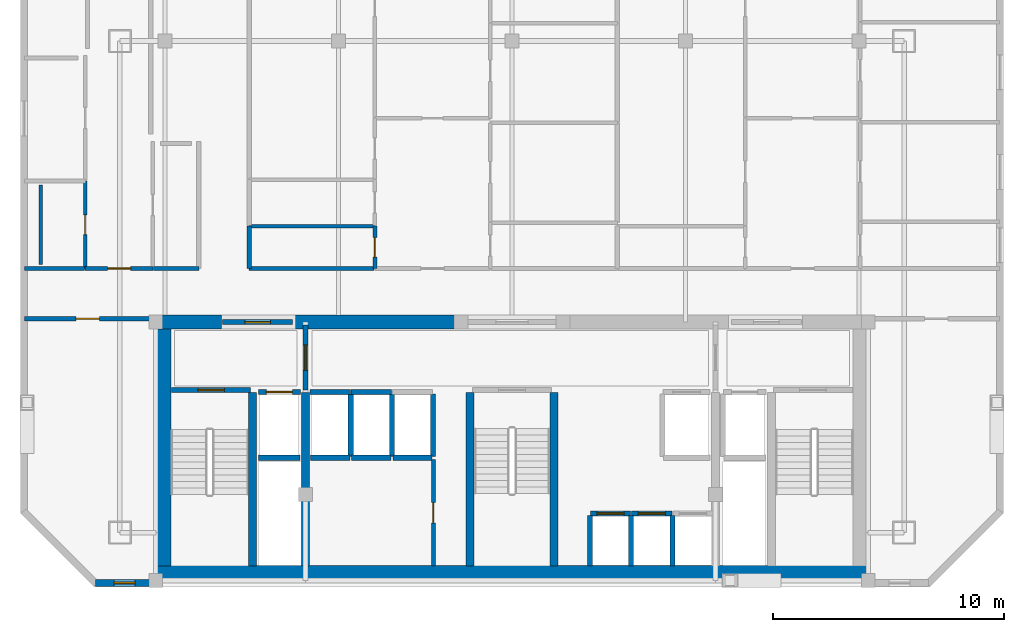
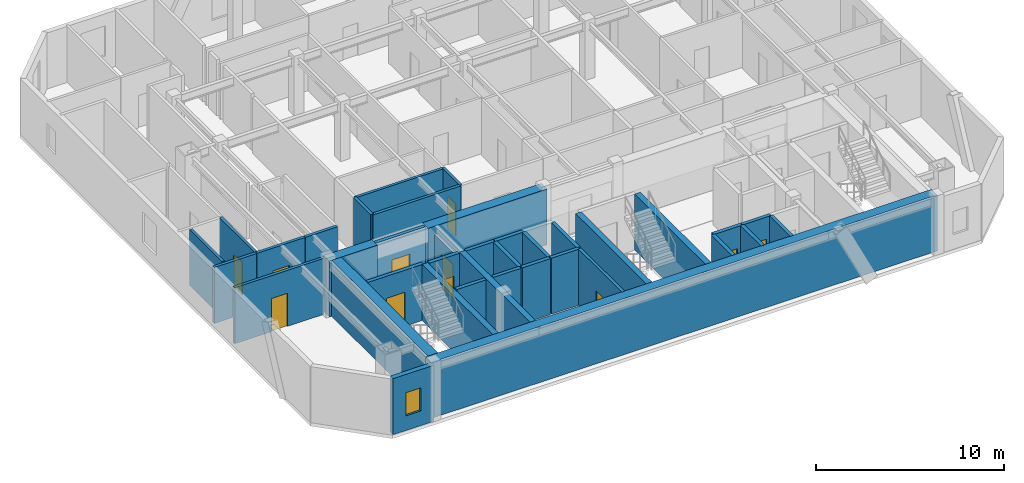
# One storey, part 2 of 7: 38 walls, 11 doors, 1 window, 12 openings.
"""IFC4 building model written with IfcOpenShell, lengths in metres."""

from ifc_helpers import new_model, si_unit, direction, frame, frame_2d, origin, place, context, subcontext, project, spatial, rectangle, extrude, material, layer, layer_set, type_object, element, fill, save


model = new_model("IFC4")

# Units and contexts
model_context = context("Model", 3, precision=1e-05, world=origin(), true_north=direction((0.0, 1.0)))
body_context = subcontext(model_context, "Body", "Model", "MODEL_VIEW")
ifc_project = project(units=[si_unit("LENGTHUNIT", "METRE"), si_unit("AREAUNIT", "SQUARE_METRE"), si_unit("VOLUMEUNIT", "CUBIC_METRE"), si_unit("PLANEANGLEUNIT", "RADIAN"), si_unit("MASSUNIT", "GRAM", prefix="KILO")], contexts=[model_context])

# Site, building, storey
site_placement = place(None, origin())
site = spatial("IfcSite", under=ifc_project, at=site_placement, CompositionType="ELEMENT")
building_placement = place(site_placement, origin())
building = spatial("IfcBuilding", under=site, at=building_placement, Name="Ventersveld Concourse Tower", CompositionType="ELEMENT")
storey_placement = place(building_placement, frame((0.0, 0.0, 227.25)))
storey = spatial("IfcBuildingStorey", under=building, at=storey_placement, Name="L56", CompositionType="ELEMENT", Elevation=227.25)

# Walls
ifc_material_1 = material(Name="Concrete C50/60", Category="concrete")
ifc_layer_1 = layer(ifc_material_1, 0.35009765625)
ifc_layer_set_1 = layer_set([ifc_layer_1], Name="Concrete C50/60")
wall_type_1 = type_object("IfcWallType", Name="WL-CORE-350U", PredefinedType="SHEAR", material=ifc_layer_set_1)
for number, where, z_axis, x_axis, name in (
    (1, (17.5400390625, 0.919921875, 0.0), (0.0, 0.0, 1.0), (0.0, 1.0, 0.0), "L56 Core Internal Shear Web W-ST1-E"),
    (2, (19.820068359375, 0.919921875, 0.0), (0.0, 0.0, 1.0), (0.0, 1.0, 0.0), "L56 Core Internal Shear Web W-FF1-E"),
    (3, (26.93994140625, 0.919921875, 0.0), (0.0, 0.0, 1.0), (0.0, 1.0, 0.0), "L56 Core Internal Shear Web W-ST3-W"),
    (4, (30.56005859375, 0.919921875, 0.0), (0.0, 0.0, 1.0), (0.0, 1.0, 0.0), "L56 Core Internal Shear Web W-ST3-E"),
):
    element("IfcWall", number, at=place(storey_placement, frame(where, z_axis=z_axis, x_axis=x_axis)), inside=storey, type_object=wall_type_1, Name=name, PredefinedType="SHEAR", context=body_context, shape_type="SweptSolid", body=[
        extrude(rectangle(XDim=7.5, YDim=0.35009765625, at=frame_2d((3.75, 0.0))), origin(), (0.0, 0.0, 1.0), 3.6298828125),
    ])
ifc_layer_2 = layer(ifc_material_1, 0.60009765625)
ifc_layer_set_2 = layer_set([ifc_layer_2], Name="Concrete C50/60")
wall_type_2 = type_object("IfcWallType", Name="WL-CORE-600", PredefinedType="SHEAR", material=ifc_layer_set_2)
wall_1_placement = place(storey_placement, frame((13.25, 0.6201171875, 0.0), z_axis=(0.0, 0.0, 1.0), x_axis=(1.0, 0.0, 0.0)))
element("IfcWall", 5, at=wall_1_placement, inside=storey, type_object=wall_type_2, Name="L56 Rear Core South Shear Wall", PredefinedType="SHEAR", context=body_context, shape_type="SweptSolid", body=[
    extrude(rectangle(XDim=31.0, YDim=0.60009765625, at=frame_2d((15.5, 0.0))), origin(), (0.0, 0.0, 1.0), 3.6298828125),
])
wall_2_placement = place(storey_placement, frame((13.699951171875, 0.919921875, 0.0), z_axis=(0.0, 0.0, 1.0), x_axis=(0.0, 1.0, 0.0)))
element("IfcWall", 6, at=wall_2_placement, inside=storey, type_object=wall_type_2, Name="L56 Rear Core West Shear Wall", PredefinedType="SHEAR", context=body_context, shape_type="SweptSolid", body=[
    extrude(rectangle(XDim=10.530029296875, YDim=0.60009765625, at=frame_2d((5.26513671875, 0.0))), origin(), (0.0, 0.0, 1.0), 3.6298828125),
])
wall_3_placement = place(storey_placement, frame((13.25, 11.449951171875, 0.0), z_axis=(0.0, 0.0, 1.0), x_axis=(1.0, 0.0, 0.0)))
element("IfcWall", 7, at=wall_3_placement, inside=storey, type_object=wall_type_2, Name="L56 Rear Core North Shear Wall NW", PredefinedType="SHEAR", context=body_context, shape_type="SweptSolid", body=[
    extrude(rectangle(XDim=2.949951171875, YDim=0.60009765625, at=frame_2d((1.47509765625, 0.0))), origin(), (0.0, 0.0, 1.0), 3.6298828125),
])
wall_4_placement = place(storey_placement, frame((19.300048828125, 11.449951171875, 0.0), z_axis=(0.0, 0.0, 1.0), x_axis=(1.0, 0.0, 0.0)))
element("IfcWall", 8, at=wall_4_placement, inside=storey, type_object=wall_type_2, Name="L56 Rear Core North Shear Wall NML", PredefinedType="SHEAR", context=body_context, shape_type="SweptSolid", body=[
    extrude(rectangle(XDim=7.300048828125, YDim=0.60009765625, at=frame_2d((3.64990234375, 0.0))), origin(), (0.0, 0.0, 1.0), 3.6298828125),
])

# Wall, opening, door
ifc_material_2 = material(Name="Fire-rated autoclaved aerated masonry blockwork", Category="masonry")
ifc_layer_3 = layer(ifc_material_2, 0.179931640625)
ifc_layer_set_3 = layer_set([ifc_layer_3], Name="Fire-rated autoclaved aerated masonry blockwork")
wall_type_3 = type_object("IfcWallType", Name="WL-CORR-180", PredefinedType="PARTITIONING", material=ifc_layer_set_3)
wall_5_placement = place(storey_placement, frame((25.35009765625, 0.89990234375, 0.0), z_axis=(0.0, 0.0, 1.0), x_axis=(0.0, 1.0, 0.0)))
wall_5 = element("IfcWall", 9, at=wall_5_placement, inside=storey, type_object=wall_type_3, Name="L56 Core Passage Wall SP-L56-RECB1A", PredefinedType="PARTITIONING", context=body_context, shape_type="SweptSolid", body=[
    extrude(rectangle(XDim=4.6201171875, YDim=0.179931640625, at=frame_2d((2.31005859375, 0.0))), origin(), (0.0, 0.0, 1.0), 3.6298828125),
])
opening_1_placement = place(wall_5_placement, frame((1.8701171875, 0.0, 0.0)))
opening_1 = element("IfcOpeningElement", 10, at=opening_1_placement, cuts=wall_5, Name="Opening FD5", PredefinedType="OPENING", context=body_context, shape_type="SweptSolid", body=[
    extrude(rectangle(XDim=0.8798828125, YDim=2.050048828125, at=frame_2d((0.43994140625, 1.02490234375))), frame((0.0, 0.10009765625, 0.0), z_axis=(0.0, -1.0, 0.0), x_axis=(1.0, 0.0, 0.0)), (0.0, 0.0, 1.0), 0.199951171875),
])
ifc_material_3 = material(Name="Galvanised painted steel", Category="steel")
door_type_1 = type_object("IfcDoorType", Name="DR-RISER-088", OperationType="NOTDEFINED", PredefinedType="DOOR", material=ifc_material_3)
door_1_placement = place(opening_1_placement, origin())
door_1 = element("IfcDoor", 11, at=door_1_placement, inside=storey, type_object=door_type_1, Name="L56 Core Room Door L56 Reclaimed Core Meeting Pod (CD-L56-2702)", OperationType="SINGLE_SWING_LEFT", OverallHeight=2.050048828125, OverallWidth=0.8798828125, PredefinedType="DOOR", context=body_context, shape_type="SweptSolid", body=[
    extrude(rectangle(XDim=0.8798828125, YDim=2.050048828125, at=frame_2d((0.43994140625, 1.02490234375))), frame((0.0, 0.02490234375, 0.0), z_axis=(0.0, -1.0, 0.0), x_axis=(1.0, 0.0, 0.0)), (0.0, 0.0, 1.0), 0.050048828125),
])
fill(opening_1, door_1)

wall_6_placement = place(storey_placement, frame((7.672607421875, 11.60009765625, 0.0), z_axis=(0.0, 0.0, 1.0), x_axis=(1.0, 0.0, 0.0)))
wall_6 = element("IfcWall", 12, at=wall_6_placement, inside=storey, type_object=wall_type_3, Name="L56 Interior Partition SP-L56-SW-GAL-SP-L56-COR", PredefinedType="PARTITIONING", context=body_context, shape_type="SweptSolid", body=[
    extrude(rectangle(XDim=5.472412109375, YDim=0.179931640625, at=frame_2d((2.736328125, 0.0))), origin(), (0.0, 0.0, 1.0), 3.6298828125),
])
opening_2_placement = place(wall_6_placement, frame((2.236083984375, 0.0, 0.0)))
opening_2 = element("IfcOpeningElement", 13, at=opening_2_placement, cuts=wall_6, Name="Opening FD3", PredefinedType="OPENING", context=body_context, shape_type="SweptSolid", body=[
    extrude(rectangle(XDim=1.0, YDim=2.14990234375, at=frame_2d((0.5, 1.074951171875))), frame((0.0, 0.10009765625, 0.0), z_axis=(0.0, -1.0, 0.0), x_axis=(1.0, 0.0, 0.0)), (0.0, 0.0, 1.0), 0.199951171875),
])
ifc_material_4 = material(Name="Solid-core hardwood veneer timber", Category="wood")
door_type_2 = type_object("IfcDoorType", Name="DR-FLAT-100", OperationType="NOTDEFINED", PredefinedType="DOOR", material=ifc_material_4)
door_2_placement = place(opening_2_placement, origin())
door_2 = element("IfcDoor", 14, at=door_2_placement, inside=storey, type_object=door_type_2, Name="L56 Interior Door SP-L56-SW-GAL to SP-L56-COR (D-L56-2703)", OperationType="SINGLE_SWING_LEFT", OverallHeight=2.14990234375, OverallWidth=1.0, PredefinedType="DOOR", context=body_context, shape_type="SweptSolid", body=[
    extrude(rectangle(XDim=1.0, YDim=2.14990234375, at=frame_2d((0.5, 1.074951171875))), frame((0.0, 0.02490234375, 0.0), z_axis=(0.0, -1.0, 0.0), x_axis=(1.0, 0.0, 0.0)), (0.0, 0.0, 1.0), 0.050048828125),
])
fill(opening_2, door_2)

wall_7_placement = place(storey_placement, frame((10.298828125, 13.77001953125, 0.0), z_axis=(0.0, 0.0, 1.0), x_axis=(1.0, 0.0, 0.0)))
wall_7 = element("IfcWall", 15, at=wall_7_placement, inside=storey, type_object=wall_type_3, Name="L56 Interior Partition SP-L56-COR-SP-L56-56NW-LIV", PredefinedType="PARTITIONING", context=body_context, shape_type="SweptSolid", body=[
    extrude(rectangle(XDim=2.930419921875, YDim=0.179931640625, at=frame_2d((1.46533203125, 0.0))), origin(), (0.0, 0.0, 1.0), 3.6298828125),
])
opening_3_placement = place(wall_7_placement, frame((0.965087890625, 0.0, 0.0)))
opening_3 = element("IfcOpeningElement", 16, at=opening_3_placement, cuts=wall_7, Name="Opening FD3", PredefinedType="OPENING", context=body_context, shape_type="SweptSolid", body=[
    extrude(rectangle(XDim=1.0, YDim=2.14990234375, at=frame_2d((0.5, 1.074951171875))), frame((0.0, 0.10009765625, 0.0), z_axis=(0.0, -1.0, 0.0), x_axis=(1.0, 0.0, 0.0)), (0.0, 0.0, 1.0), 0.199951171875),
])
door_3_placement = place(opening_3_placement, origin())
door_3 = element("IfcDoor", 17, at=door_3_placement, inside=storey, type_object=door_type_2, Name="L56 Interior Door SP-L56-COR to SP-L56-56NW-LIV (FD-L56-2705)", OperationType="SINGLE_SWING_LEFT", OverallHeight=2.14990234375, OverallWidth=1.0, PredefinedType="DOOR", context=body_context, shape_type="SweptSolid", body=[
    extrude(rectangle(XDim=1.0, YDim=2.14990234375, at=frame_2d((0.5, 1.074951171875))), frame((0.0, 0.02490234375, 0.0), z_axis=(0.0, -1.0, 0.0), x_axis=(1.0, 0.0, 0.0)), (0.0, 0.0, 1.0), 0.050048828125),
])
fill(opening_3, door_3)

# Walls
wall_8_placement = place(storey_placement, frame((7.672607421875, 13.77001953125, 0.0), z_axis=(0.0, 0.0, 1.0), x_axis=(1.0, 0.0, 0.0)))
element("IfcWall", 18, at=wall_8_placement, inside=storey, type_object=wall_type_3, Name="L56 Interior Partition SP-L56-COR-SP-L56-56NW-BATH", PredefinedType="PARTITIONING", context=body_context, shape_type="SweptSolid", body=[
    extrude(rectangle(XDim=2.59619140625, YDim=0.179931640625, at=frame_2d((1.298095703125, 0.0))), origin(), (0.0, 0.0, 1.0), 3.6298828125),
])
wall_9_placement = place(storey_placement, frame((13.25927734375, 13.77001953125, 0.0), z_axis=(0.0, 0.0, 1.0), x_axis=(1.0, 0.0, 0.0)))
element("IfcWall", 19, at=wall_9_placement, inside=storey, type_object=wall_type_3, Name="L56 Interior Partition SP-L56-COR-SP-L56-56NW-KIT", PredefinedType="PARTITIONING", context=body_context, shape_type="SweptSolid", body=[
    extrude(rectangle(XDim=1.955810546875, YDim=0.179931640625, at=frame_2d((0.97802734375, 0.0))), origin(), (0.0, 0.0, 1.0), 3.6298828125),
])
wall_10_placement = place(storey_placement, frame((17.385009765625, 13.77001953125, 0.0), z_axis=(0.0, 0.0, 1.0), x_axis=(1.0, 0.0, 0.0)))
element("IfcWall", 20, at=wall_10_placement, inside=storey, type_object=wall_type_3, Name="L56 Interior Partition SP-L56-COR-SP-L56-56N1-BATH", PredefinedType="PARTITIONING", context=body_context, shape_type="SweptSolid", body=[
    extrude(rectangle(XDim=5.40234375, YDim=0.179931640625, at=frame_2d((2.701171875, 0.0))), origin(), (0.0, 0.0, 1.0), 3.6298828125),
])
wall_11_placement = place(storey_placement, frame((17.389892578125, 13.764892578125, 0.0), z_axis=(0.0, 0.0, 1.0), x_axis=(0.0, 1.0, 0.0)))
element("IfcWall", 21, at=wall_11_placement, inside=storey, type_object=wall_type_3, Name="L56 Interior Partition SP-L56-COR-SP-L56-56N1-BATH", PredefinedType="PARTITIONING", context=body_context, shape_type="SweptSolid", body=[
    extrude(rectangle(XDim=1.840087890625, YDim=0.179931640625, at=frame_2d((0.919921875, 0.0))), origin(), (0.0, 0.0, 1.0), 3.6298828125),
])
ifc_layer_4 = layer(ifc_material_2, 0.219970703125)
ifc_layer_set_4 = layer_set([ifc_layer_4], Name="Fire-rated autoclaved aerated masonry blockwork")
wall_type_4 = type_object("IfcWallType", Name="WL-HOIST-220", PredefinedType="SOLIDWALL", material=ifc_layer_set_4)
wall_12_placement = place(storey_placement, frame((17.800048828125, 5.590087890625, 0.0), z_axis=(0.0, 0.0, 1.0), x_axis=(1.0, 0.0, 0.0)))
element("IfcWall", 22, at=wall_12_placement, inside=storey, type_object=wall_type_4, Name="L56 Lift Hoistway Back Wall FFL-01", PredefinedType="SOLIDWALL", context=body_context, shape_type="SweptSolid", body=[
    extrude(rectangle(XDim=1.780029296875, YDim=0.219970703125, at=frame_2d((0.89013671875, 0.0))), origin(), (0.0, 0.0, 1.0), 3.6298828125),
])

# Wall, opening, door
wall_13_placement = place(storey_placement, frame((17.780029296875, 8.429931640625, 0.0), z_axis=(0.0, 0.0, 1.0), x_axis=(1.0, 0.0, 0.0)))
wall_13 = element("IfcWall", 23, at=wall_13_placement, inside=storey, type_object=wall_type_4, Name="L56 Lift Hoistway Front Wall FFL-01", PredefinedType="SOLIDWALL", context=body_context, shape_type="SweptSolid", body=[
    extrude(rectangle(XDim=1.820068359375, YDim=0.219970703125, at=frame_2d((0.91015625, 0.0))), origin(), (0.0, 0.0, 1.0), 3.6298828125),
])
opening_4_placement = place(wall_13_placement, frame((0.35009765625, 0.0, 0.0)))
opening_4 = element("IfcOpeningElement", 24, at=opening_4_placement, cuts=wall_13, Name="Opening LD1", PredefinedType="OPENING", context=body_context, shape_type="SweptSolid", body=[
    extrude(rectangle(XDim=1.1201171875, YDim=2.25, at=frame_2d((0.56005859375, 1.125))), frame((0.0, 0.1201171875, 0.0), z_axis=(0.0, -1.0, 0.0), x_axis=(1.0, 0.0, 0.0)), (0.0, 0.0, 1.0), 0.239990234375),
])
ifc_material_5 = material(Name="Brushed stainless steel 316", Category="steel")
door_type_3 = type_object("IfcDoorType", Name="LD-FF-112", OperationType="SLIDING_TO_LEFT", PredefinedType="DOOR", material=ifc_material_5)
door_4_placement = place(opening_4_placement, origin())
door_4 = element("IfcDoor", 25, at=door_4_placement, inside=storey, type_object=door_type_3, Name="L56 Lift landing door FFL-01 (LD-L56-FFL-01)", OperationType="SLIDING_TO_LEFT", OverallHeight=2.25, OverallWidth=1.1201171875, PredefinedType="DOOR", context=body_context, shape_type="SweptSolid", body=[
    extrude(rectangle(XDim=1.1201171875, YDim=2.25, at=frame_2d((0.56005859375, 1.125))), frame((0.0, 0.02490234375, 0.0), z_axis=(0.0, -1.0, 0.0), x_axis=(1.0, 0.0, 0.0)), (0.0, 0.0, 1.0), 0.050048828125),
])
fill(opening_4, door_4)

# Walls
for number, where, z_axis, x_axis, name in (
    (26, (32.1201171875, 0.89990234375, 0.0), (0.0, 0.0, 1.0), (0.0, 1.0, 0.0), "L56 Lift Hoistway Side Wall PM-01W"),
    (27, (33.89990234375, 0.89990234375, 0.0), (0.0, 0.0, 1.0), (0.0, 1.0, 0.0), "L56 Lift Hoistway Side Wall PM-01E"),
):
    element("IfcWall", number, at=place(storey_placement, frame(where, z_axis=z_axis, x_axis=x_axis)), inside=storey, type_object=wall_type_4, Name=name, PredefinedType="SOLIDWALL", context=body_context, shape_type="SweptSolid", body=[
        extrude(rectangle(XDim=2.2001953125, YDim=0.219970703125, at=frame_2d((1.10009765625, 0.0))), origin(), (0.0, 0.0, 1.0), 3.6298828125),
    ])

# Wall, opening, door
wall_14_placement = place(storey_placement, frame((32.139892578125, 3.179931640625, 0.0), z_axis=(0.0, 0.0, 1.0), x_axis=(1.0, 0.0, 0.0)))
wall_14 = element("IfcWall", 28, at=wall_14_placement, inside=storey, type_object=wall_type_4, Name="L56 Lift Hoistway Front Wall PM-01", PredefinedType="SOLIDWALL", context=body_context, shape_type="SweptSolid", body=[
    extrude(rectangle(XDim=1.739990234375, YDim=0.219970703125, at=frame_2d((0.8701171875, 0.0))), origin(), (0.0, 0.0, 1.0), 3.6298828125),
])
opening_5_placement = place(wall_14_placement, frame((0.280029296875, 0.0, 0.0)))
opening_5 = element("IfcOpeningElement", 29, at=opening_5_placement, cuts=wall_14, Name="Opening LD2", PredefinedType="OPENING", context=body_context, shape_type="SweptSolid", body=[
    extrude(rectangle(XDim=1.179931640625, YDim=2.199951171875, at=frame_2d((0.58984375, 1.10009765625))), frame((0.0, 0.1201171875, 0.0), z_axis=(0.0, -1.0, 0.0), x_axis=(1.0, 0.0, 0.0)), (0.0, 0.0, 1.0), 0.239990234375),
])
door_type_4 = type_object("IfcDoorType", Name="LD-PAX-118", OperationType="SLIDING_TO_LEFT", PredefinedType="DOOR", material=ifc_material_5)
door_5_placement = place(opening_5_placement, origin())
door_5 = element("IfcDoor", 30, at=door_5_placement, inside=storey, type_object=door_type_4, Name="L56 Lift landing door PM-01 (LD-L56-PM-01)", OperationType="SLIDING_TO_RIGHT", OverallHeight=2.199951171875, OverallWidth=1.179931640625, PredefinedType="DOOR", context=body_context, shape_type="SweptSolid", body=[
    extrude(rectangle(XDim=1.179931640625, YDim=2.199951171875, at=frame_2d((0.58984375, 1.10009765625))), frame((0.0, 0.02490234375, 0.0), z_axis=(0.0, -1.0, 0.0), x_axis=(1.0, 0.0, 0.0)), (0.0, 0.0, 1.0), 0.050048828125),
])
fill(opening_5, door_5)

# Wall
wall_15_placement = place(storey_placement, frame((35.679931640625, 0.89990234375, 0.0), z_axis=(0.0, 0.0, 1.0), x_axis=(0.0, 1.0, 0.0)))
element("IfcWall", 31, at=wall_15_placement, inside=storey, type_object=wall_type_4, Name="L56 Lift Hoistway Side Wall PM-02E", PredefinedType="SOLIDWALL", context=body_context, shape_type="SweptSolid", body=[
    extrude(rectangle(XDim=2.2001953125, YDim=0.219970703125, at=frame_2d((1.10009765625, 0.0))), origin(), (0.0, 0.0, 1.0), 3.6298828125),
])

# Wall, opening, door
wall_16_placement = place(storey_placement, frame((33.919921875, 3.179931640625, 0.0), z_axis=(0.0, 0.0, 1.0), x_axis=(1.0, 0.0, 0.0)))
wall_16 = element("IfcWall", 32, at=wall_16_placement, inside=storey, type_object=wall_type_4, Name="L56 Lift Hoistway Front Wall PM-02", PredefinedType="SOLIDWALL", context=body_context, shape_type="SweptSolid", body=[
    extrude(rectangle(XDim=1.739990234375, YDim=0.219970703125, at=frame_2d((0.8701171875, 0.0))), origin(), (0.0, 0.0, 1.0), 3.6298828125),
])
opening_6_placement = place(wall_16_placement, frame((0.280029296875, 0.0, 0.0)))
opening_6 = element("IfcOpeningElement", 33, at=opening_6_placement, cuts=wall_16, Name="Opening LD2", PredefinedType="OPENING", context=body_context, shape_type="SweptSolid", body=[
    extrude(rectangle(XDim=1.179931640625, YDim=2.199951171875, at=frame_2d((0.58984375, 1.10009765625))), frame((0.0, 0.1201171875, 0.0), z_axis=(0.0, -1.0, 0.0), x_axis=(1.0, 0.0, 0.0)), (0.0, 0.0, 1.0), 0.239990234375),
])
door_6_placement = place(opening_6_placement, origin())
door_6 = element("IfcDoor", 34, at=door_6_placement, inside=storey, type_object=door_type_4, Name="L56 Lift landing door PM-02 (LD-L56-PM-02)", OperationType="SLIDING_TO_LEFT", OverallHeight=2.199951171875, OverallWidth=1.179931640625, PredefinedType="DOOR", context=body_context, shape_type="SweptSolid", body=[
    extrude(rectangle(XDim=1.179931640625, YDim=2.199951171875, at=frame_2d((0.58984375, 1.10009765625))), frame((0.0, 0.02490234375, 0.0), z_axis=(0.0, -1.0, 0.0), x_axis=(1.0, 0.0, 0.0)), (0.0, 0.0, 1.0), 0.050048828125),
])
fill(opening_6, door_6)

# Walls
wall_17_placement = place(storey_placement, frame((20.0400390625, 5.590087890625, 0.0), z_axis=(0.0, 0.0, 1.0), x_axis=(1.0, 0.0, 0.0)))
element("IfcWall", 35, at=wall_17_placement, inside=storey, type_object=wall_type_4, Name="L56 Lift Hoistway Back Wall PH-01", PredefinedType="SOLIDWALL", context=body_context, shape_type="SweptSolid", body=[
    extrude(rectangle(XDim=1.699951171875, YDim=0.219970703125, at=frame_2d((0.85009765625, 0.0))), origin(), (0.0, 0.0, 1.0), 3.6298828125),
])
wall_18_placement = place(storey_placement, frame((21.780029296875, 5.64990234375, 0.0), z_axis=(0.0, 0.0, 1.0), x_axis=(0.0, 1.0, 0.0)))
element("IfcWall", 36, at=wall_18_placement, inside=storey, type_object=wall_type_4, Name="L56 Lift Hoistway Side Wall PH-01E", PredefinedType="SOLIDWALL", context=body_context, shape_type="SweptSolid", body=[
    extrude(rectangle(XDim=2.7001953125, YDim=0.219970703125, at=frame_2d((1.35009765625, 0.0))), origin(), (0.0, 0.0, 1.0), 3.6298828125),
])
wall_19_placement = place(storey_placement, frame((20.02001953125, 8.429931640625, 0.0), z_axis=(0.0, 0.0, 1.0), x_axis=(1.0, 0.0, 0.0)))
element("IfcWall", 37, at=wall_19_placement, inside=storey, type_object=wall_type_4, Name="L56 Lift Hoistway Front Wall PH-01", PredefinedType="SOLIDWALL", context=body_context, shape_type="SweptSolid", body=[
    extrude(rectangle(XDim=1.739990234375, YDim=0.219970703125, at=frame_2d((0.8701171875, 0.0))), origin(), (0.0, 0.0, 1.0), 3.6298828125),
])
wall_20_placement = place(storey_placement, frame((21.820068359375, 5.590087890625, 0.0), z_axis=(0.0, 0.0, 1.0), x_axis=(1.0, 0.0, 0.0)))
element("IfcWall", 38, at=wall_20_placement, inside=storey, type_object=wall_type_4, Name="L56 Lift Hoistway Back Wall PH-02", PredefinedType="SOLIDWALL", context=body_context, shape_type="SweptSolid", body=[
    extrude(rectangle(XDim=1.699951171875, YDim=0.219970703125, at=frame_2d((0.85009765625, 0.0))), origin(), (0.0, 0.0, 1.0), 3.6298828125),
])
wall_21_placement = place(storey_placement, frame((23.56005859375, 5.64990234375, 0.0), z_axis=(0.0, 0.0, 1.0), x_axis=(0.0, 1.0, 0.0)))
element("IfcWall", 39, at=wall_21_placement, inside=storey, type_object=wall_type_4, Name="L56 Lift Hoistway Side Wall PH-02E", PredefinedType="SOLIDWALL", context=body_context, shape_type="SweptSolid", body=[
    extrude(rectangle(XDim=2.7001953125, YDim=0.219970703125, at=frame_2d((1.35009765625, 0.0))), origin(), (0.0, 0.0, 1.0), 3.6298828125),
])
wall_22_placement = place(storey_placement, frame((21.800048828125, 8.429931640625, 0.0), z_axis=(0.0, 0.0, 1.0), x_axis=(1.0, 0.0, 0.0)))
element("IfcWall", 40, at=wall_22_placement, inside=storey, type_object=wall_type_4, Name="L56 Lift Hoistway Front Wall PH-02", PredefinedType="SOLIDWALL", context=body_context, shape_type="SweptSolid", body=[
    extrude(rectangle(XDim=1.739990234375, YDim=0.219970703125, at=frame_2d((0.8701171875, 0.0))), origin(), (0.0, 0.0, 1.0), 3.6298828125),
])
wall_23_placement = place(storey_placement, frame((23.60009765625, 5.590087890625, 0.0), z_axis=(0.0, 0.0, 1.0), x_axis=(1.0, 0.0, 0.0)))
element("IfcWall", 41, at=wall_23_placement, inside=storey, type_object=wall_type_4, Name="L56 Lift Hoistway Back Wall PH-03", PredefinedType="SOLIDWALL", context=body_context, shape_type="SweptSolid", body=[
    extrude(rectangle(XDim=1.699951171875, YDim=0.219970703125, at=frame_2d((0.85009765625, 0.0))), origin(), (0.0, 0.0, 1.0), 3.6298828125),
])
wall_24_placement = place(storey_placement, frame((25.340087890625, 5.64990234375, 0.0), z_axis=(0.0, 0.0, 1.0), x_axis=(0.0, 1.0, 0.0)))
element("IfcWall", 42, at=wall_24_placement, inside=storey, type_object=wall_type_4, Name="L56 Lift Hoistway Side Wall PH-03E", PredefinedType="SOLIDWALL", context=body_context, shape_type="SweptSolid", body=[
    extrude(rectangle(XDim=2.7001953125, YDim=0.219970703125, at=frame_2d((1.35009765625, 0.0))), origin(), (0.0, 0.0, 1.0), 3.6298828125),
])

# Wall, opening, door
wall_25_placement = place(storey_placement, frame((14.0400390625, 8.52001953125, 0.0), z_axis=(0.0, 0.0, 1.0), x_axis=(1.0, 0.0, 0.0)))
wall_25 = element("IfcWall", 43, at=wall_25_placement, inside=storey, type_object=wall_type_4, Name="L56 Escape Stair ST01 Fire Wall", PredefinedType="SOLIDWALL", context=body_context, shape_type="SweptSolid", body=[
    extrude(rectangle(XDim=3.39990234375, YDim=0.219970703125, at=frame_2d((1.699951171875, 0.0))), origin(), (0.0, 0.0, 1.0), 3.6298828125),
])
opening_7_placement = place(wall_25_placement, frame((1.125, 0.0, 0.0)))
opening_7 = element("IfcOpeningElement", 44, at=opening_7_placement, cuts=wall_25, Name="Opening FD1", PredefinedType="OPENING", context=body_context, shape_type="SweptSolid", body=[
    extrude(rectangle(XDim=1.14990234375, YDim=2.199951171875, at=frame_2d((0.574951171875, 1.10009765625))), frame((0.0, 0.1201171875, 0.0), z_axis=(0.0, -1.0, 0.0), x_axis=(1.0, 0.0, 0.0)), (0.0, 0.0, 1.0), 0.239990234375),
])
door_type_5 = type_object("IfcDoorType", Name="DR-STAIR-115", OperationType="NOTDEFINED", PredefinedType="DOOR", material=ifc_material_3)
door_7_placement = place(opening_7_placement, origin())
door_7 = element("IfcDoor", 45, at=door_7_placement, inside=storey, type_object=door_type_5, Name="L56 Escape Stair Door ST01 (SD-L56-2694)", OperationType="SINGLE_SWING_LEFT", OverallHeight=2.199951171875, OverallWidth=1.14990234375, PredefinedType="DOOR", context=body_context, shape_type="SweptSolid", body=[
    extrude(rectangle(XDim=1.14990234375, YDim=2.199951171875, at=frame_2d((0.574951171875, 1.10009765625))), frame((0.0, 0.02490234375, 0.0), z_axis=(0.0, -1.0, 0.0), x_axis=(1.0, 0.0, 0.0)), (0.0, 0.0, 1.0), 0.050048828125),
])
fill(opening_7, door_7)

wall_26_placement = place(storey_placement, frame((19.820068359375, 8.52001953125, 0.0), z_axis=(0.0, 0.0, 1.0), x_axis=(0.0, 1.0, 0.0)))
wall_26 = element("IfcWall", 46, at=wall_26_placement, inside=storey, type_object=wall_type_4, Name="L56 Firefighting Lobby Smoke-Stop Wall FFLW-SEP", PredefinedType="SOLIDWALL", context=body_context, shape_type="SweptSolid", body=[
    extrude(rectangle(XDim=2.800048828125, YDim=0.219970703125, at=frame_2d((1.39990234375, 0.0))), origin(), (0.0, 0.0, 1.0), 3.08544921875),
])
opening_8_placement = place(wall_26_placement, frame((0.85009765625, 0.0, 0.0)))
opening_8 = element("IfcOpeningElement", 47, at=opening_8_placement, cuts=wall_26, Name="Opening FD2", PredefinedType="OPENING", context=body_context, shape_type="SweptSolid", body=[
    extrude(rectangle(XDim=1.10009765625, YDim=2.199951171875, at=frame_2d((0.550048828125, 1.10009765625))), frame((0.0, 0.1201171875, 0.0), z_axis=(0.0, -1.0, 0.0), x_axis=(1.0, 0.0, 0.0)), (0.0, 0.0, 1.0), 0.239990234375),
])
door_type_6 = type_object("IfcDoorType", Name="DR-FFL-110", OperationType="NOTDEFINED", PredefinedType="DOOR", material=ifc_material_3)
door_8_placement = place(opening_8_placement, origin())
door_8 = element("IfcDoor", 48, at=door_8_placement, inside=storey, type_object=door_type_6, Name="L56 Firefighting Lobby Door FFLW-SEP (FD-L56-2697)", OperationType="SINGLE_SWING_LEFT", OverallHeight=2.199951171875, OverallWidth=1.10009765625, PredefinedType="DOOR", context=body_context, shape_type="SweptSolid", body=[
    extrude(rectangle(XDim=1.10009765625, YDim=2.199951171875, at=frame_2d((0.550048828125, 1.10009765625))), frame((0.0, 0.02490234375, 0.0), z_axis=(0.0, -1.0, 0.0), x_axis=(1.0, 0.0, 0.0)), (0.0, 0.0, 1.0), 0.050048828125),
])
fill(opening_8, door_8)

wall_27_placement = place(storey_placement, frame((16.22998046875, 11.449951171875, 0.0), z_axis=(0.0, 0.0, 1.0), x_axis=(1.0, 0.0, 0.0)))
wall_27 = element("IfcWall", 49, at=wall_27_placement, inside=storey, type_object=wall_type_4, Name="L56 Core North Fire Portal FFLW-OUT", PredefinedType="SOLIDWALL", context=body_context, shape_type="SweptSolid", body=[
    extrude(rectangle(XDim=3.0400390625, YDim=0.219970703125, at=frame_2d((1.52001953125, 0.0))), origin(), (0.0, 0.0, 1.0), 3.6298828125),
])
opening_9_placement = place(wall_27_placement, frame((0.969970703125, 0.0, 0.0)))
opening_9 = element("IfcOpeningElement", 50, at=opening_9_placement, cuts=wall_27, Name="Opening FD2", PredefinedType="OPENING", context=body_context, shape_type="SweptSolid", body=[
    extrude(rectangle(XDim=1.10009765625, YDim=2.199951171875, at=frame_2d((0.550048828125, 1.10009765625))), frame((0.0, 0.1201171875, 0.0), z_axis=(0.0, -1.0, 0.0), x_axis=(1.0, 0.0, 0.0)), (0.0, 0.0, 1.0), 0.239990234375),
])
door_9_placement = place(opening_9_placement, origin())
door_9 = element("IfcDoor", 51, at=door_9_placement, inside=storey, type_object=door_type_6, Name="L56 Core Lobby Fire Door FFLW-OUT (FD-L56-2699)", OperationType="SINGLE_SWING_RIGHT", OverallHeight=2.199951171875, OverallWidth=1.10009765625, PredefinedType="DOOR", context=body_context, shape_type="SweptSolid", body=[
    extrude(rectangle(XDim=1.10009765625, YDim=2.199951171875, at=frame_2d((0.550048828125, 1.10009765625))), frame((0.0, 0.02490234375, 0.0), z_axis=(0.0, -1.0, 0.0), x_axis=(1.0, 0.0, 0.0)), (0.0, 0.0, 1.0), 0.050048828125),
])
fill(opening_9, door_9)

# Wall, opening, window
ifc_material_6 = material(Name="Precast concrete C45/55", Category="concrete")
ifc_layer_5 = layer(ifc_material_6, 0.300048828125)
ifc_layer_set_5 = layer_set([ifc_layer_5], Name="Precast concrete C45/55")
wall_type_5 = type_object("IfcWallType", Name="WL-PREC-300", PredefinedType="SOLIDWALL", material=ifc_layer_set_5)
wall_28_placement = place(storey_placement, frame((10.739990234375, 0.179931640625, 0.0), z_axis=(0.0, 0.0, 1.0), x_axis=(1.0, 0.0, 0.0)))
wall_28 = element("IfcWall", 52, at=wall_28_placement, inside=storey, type_object=wall_type_5, Name="L56 South-West Flank Precast Wall", PredefinedType="SOLIDWALL", context=body_context, shape_type="SweptSolid", body=[
    extrude(rectangle(XDim=2.510009765625, YDim=0.300048828125, at=frame_2d((1.2548828125, 0.0))), origin(), (0.0, 0.0, 1.0), 3.6298828125),
])
opening_10_placement = place(wall_28_placement, frame((0.804931640625, 0.0, 0.949951171875)))
opening_10 = element("IfcOpeningElement", 53, at=opening_10_placement, cuts=wall_28, Name="Opening W4", PredefinedType="OPENING", context=body_context, shape_type="SweptSolid", body=[
    extrude(rectangle(XDim=0.89990234375, YDim=1.5, at=frame_2d((0.449951171875, 0.75))), frame((0.0, 0.16015625, 0.0), z_axis=(0.0, -1.0, 0.0), x_axis=(1.0, 0.0, 0.0)), (0.0, 0.0, 1.0), 0.320068359375),
])
ifc_material_7 = material(Name="Tempered acoustic Low-E IGU", Category="glass")
window_type = type_object("IfcWindowType", Name="WIN-090x150", PartitioningType="SINGLE_PANEL", PredefinedType="WINDOW", material=ifc_material_7)
window_placement = place(opening_10_placement, origin())
window = element("IfcWindow", 54, at=window_placement, inside=storey, type_object=window_type, Name="L56 Punched Low-E Window W-0796", OverallHeight=1.5, OverallWidth=0.89990234375, PartitioningType="SINGLE_PANEL", PredefinedType="WINDOW", context=body_context, shape_type="SweptSolid", body=[
    extrude(rectangle(XDim=0.89990234375, YDim=1.5, at=frame_2d((0.449951171875, 0.75))), frame((0.0, 0.030029296875, 0.0), z_axis=(0.0, -1.0, 0.0), x_axis=(1.0, 0.0, 0.0)), (0.0, 0.0, 1.0), 0.06005859375),
])
fill(opening_10, window)

# Wall, opening, door
ifc_material_8 = material(Name="Autoclaved aerated masonry blockwork", Category="masonry")
ifc_layer_6 = layer(ifc_material_8, 0.1650390625)
ifc_layer_set_6 = layer_set([ifc_layer_6], Name="Autoclaved aerated masonry blockwork")
wall_type_6 = type_object("IfcWallType", Name="WL-WET-165", PredefinedType="PLUMBINGWALL", material=ifc_layer_set_6)
wall_29_placement = place(storey_placement, frame((10.3037109375, 13.764892578125, 0.0), z_axis=(0.0, 0.0, 1.0), x_axis=(0.0, 1.0, 0.0)))
wall_29 = element("IfcWall", 55, at=wall_29_placement, inside=storey, type_object=wall_type_6, Name="L56 Interior Partition SP-L56-56NW-LIV-SP-L56-56NW-BATH", PredefinedType="PLUMBINGWALL", context=body_context, shape_type="SweptSolid", body=[
    extrude(rectangle(XDim=3.789306640625, YDim=0.1650390625, at=frame_2d((1.89453125, 0.0))), origin(), (0.0, 0.0, 1.0), 3.6298828125),
])
opening_11_placement = place(wall_29_placement, frame((1.469482421875, 0.0, 0.0)))
opening_11 = element("IfcOpeningElement", 56, at=opening_11_placement, cuts=wall_29, Name="Opening ID2", PredefinedType="OPENING", context=body_context, shape_type="SweptSolid", body=[
    extrude(rectangle(XDim=0.85009765625, YDim=2.10009765625, at=frame_2d((0.425048828125, 1.050048828125))), frame((0.0, 0.092529296875, 0.0), z_axis=(0.0, -1.0, 0.0), x_axis=(1.0, 0.0, 0.0)), (0.0, 0.0, 1.0), 0.18505859375),
])
door_type_7 = type_object("IfcDoorType", Name="DR-BATH-085", OperationType="NOTDEFINED", PredefinedType="DOOR", material=ifc_material_4)
door_10_placement = place(opening_11_placement, origin())
door_10 = element("IfcDoor", 57, at=door_10_placement, inside=storey, type_object=door_type_7, Name="L56 Interior Door SP-L56-56NW-LIV to SP-L56-56NW-BATH (D-L56-2708)", OperationType="SINGLE_SWING_RIGHT", OverallHeight=2.10009765625, OverallWidth=0.85009765625, PredefinedType="DOOR", context=body_context, shape_type="SweptSolid", body=[
    extrude(rectangle(XDim=0.85009765625, YDim=2.10009765625, at=frame_2d((0.425048828125, 1.050048828125))), frame((0.0, 0.02490234375, 0.0), z_axis=(0.0, -1.0, 0.0), x_axis=(1.0, 0.0, 0.0)), (0.0, 0.0, 1.0), 0.050048828125),
])
fill(opening_11, door_10)

wall_30_placement = place(storey_placement, frame((22.822265625, 13.764892578125, 0.0), z_axis=(0.0, 0.0, 1.0), x_axis=(0.0, 1.0, 0.0)))
wall_30 = element("IfcWall", 58, at=wall_30_placement, inside=storey, type_object=wall_type_6, Name="L56 Interior Partition SP-L56-56N1-FOY-SP-L56-56N1-BATH", PredefinedType="PLUMBINGWALL", context=body_context, shape_type="SweptSolid", body=[
    extrude(rectangle(XDim=1.840087890625, YDim=0.1650390625, at=frame_2d((0.919921875, 0.0))), origin(), (0.0, 0.0, 1.0), 3.6298828125),
])
opening_12_placement = place(wall_30_placement, frame((0.4951171875, 0.0, 0.0)))
opening_12 = element("IfcOpeningElement", 59, at=opening_12_placement, cuts=wall_30, Name="Opening ID2", PredefinedType="OPENING", context=body_context, shape_type="SweptSolid", body=[
    extrude(rectangle(XDim=0.85009765625, YDim=2.10009765625, at=frame_2d((0.425048828125, 1.050048828125))), frame((0.0, 0.092529296875, 0.0), z_axis=(0.0, -1.0, 0.0), x_axis=(1.0, 0.0, 0.0)), (0.0, 0.0, 1.0), 0.18505859375),
])
door_11_placement = place(opening_12_placement, origin())
door_11 = element("IfcDoor", 60, at=door_11_placement, inside=storey, type_object=door_type_7, Name="L56 Interior Door SP-L56-56N1-FOY to SP-L56-56N1-BATH (D-L56-2714)", OperationType="SINGLE_SWING_RIGHT", OverallHeight=2.10009765625, OverallWidth=0.85009765625, PredefinedType="DOOR", context=body_context, shape_type="SweptSolid", body=[
    extrude(rectangle(XDim=0.85009765625, YDim=2.10009765625, at=frame_2d((0.425048828125, 1.050048828125))), frame((0.0, 0.02490234375, 0.0), z_axis=(0.0, -1.0, 0.0), x_axis=(1.0, 0.0, 0.0)), (0.0, 0.0, 1.0), 0.050048828125),
])
fill(opening_12, door_11)

# Walls
wall_31_placement = place(storey_placement, frame((17.385009765625, 15.60009765625, 0.0), z_axis=(0.0, 0.0, 1.0), x_axis=(1.0, 0.0, 0.0)))
element("IfcWall", 61, at=wall_31_placement, inside=storey, type_object=wall_type_6, Name="L56 Interior Partition SP-L56-56N1-BATH-SP-L56-56N1-PANL0", PredefinedType="PLUMBINGWALL", context=body_context, shape_type="SweptSolid", body=[
    extrude(rectangle(XDim=5.4423828125, YDim=0.1650390625, at=frame_2d((2.72119140625, 0.0))), origin(), (0.0, 0.0, 1.0), 3.6298828125),
])
wall_32_placement = place(storey_placement, frame((8.3798828125, 13.93505859375, 0.0), z_axis=(0.0, 0.0, 1.0), x_axis=(0.0, 1.0, 0.0)))
element("IfcWall", 62, at=wall_32_placement, inside=storey, type_object=wall_type_6, Name="L56 Room Enclosure Wall SP-L56-56NW-BATH", PredefinedType="PLUMBINGWALL", context=body_context, shape_type="SweptSolid", body=[
    extrude(rectangle(XDim=3.448974609375, YDim=0.1650390625, at=frame_2d((1.724609375, 0.0))), origin(), (0.0, 0.0, 1.0), 3.6298828125),
])

save(model, "model.ifc")
